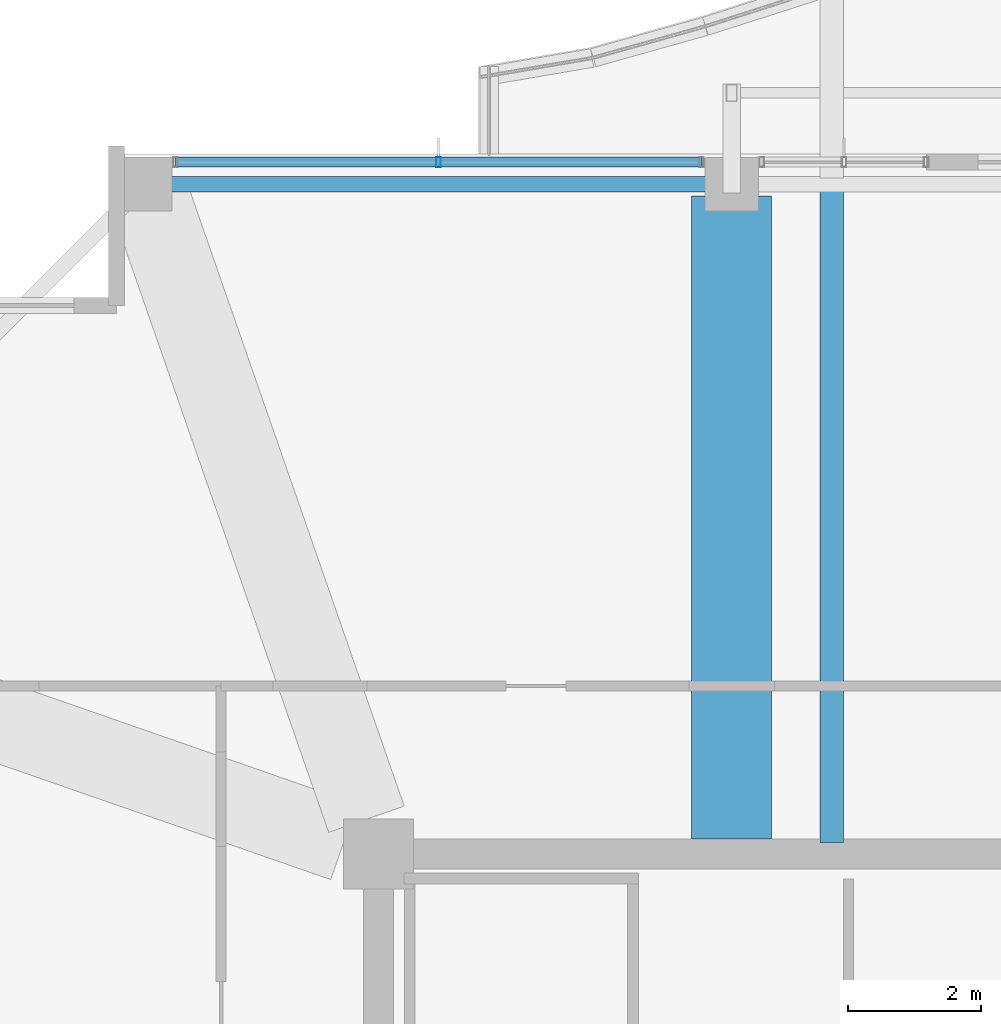
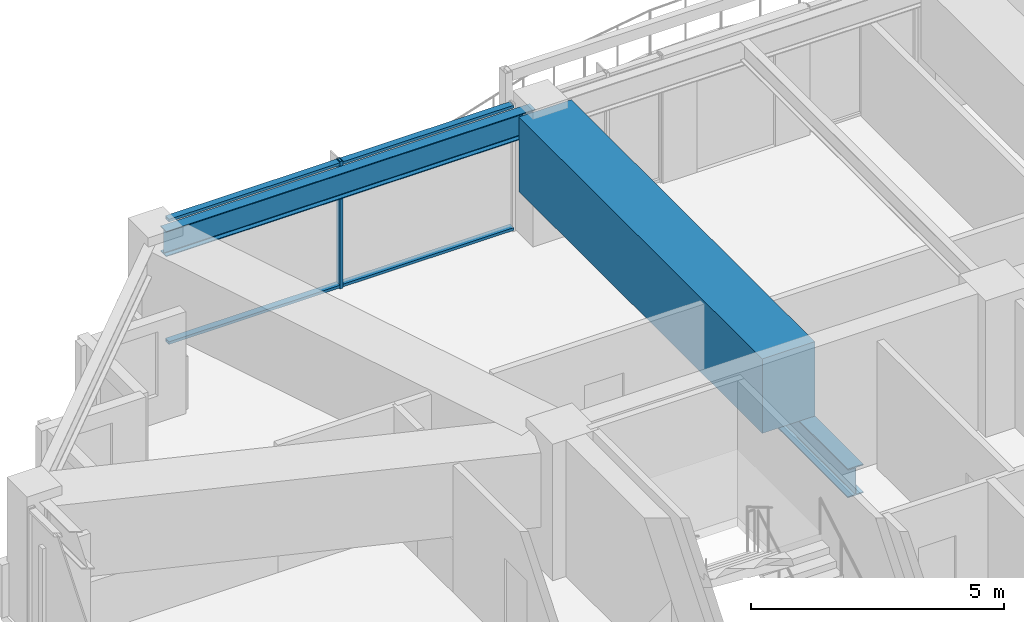
# One storey, part 18 of 37: 3 beams, 3 members, 1 element without a shape of its own.
"""IFC4 building model written with IfcOpenShell, lengths in metres."""

import ifcopenshell
import ifcopenshell.guid

model = None  # the IFC model being written
_history = None  # IfcOwnerHistory: only IFC2X3 demands one
_inside = {}  # id of a spatial element -> (the spatial element, [elements in it])
_under = {}  # id of a project, library or spatial element -> (it, [spatial elements below it])
_declared = {}  # id of a project -> (the project, [libraries it declares])
_typed = {}  # id of a type object -> (the type object, [elements of that type])
_made_of = {}  # id of a material, layer set ... -> (it, [elements and type objects made of it])


def new_model(schema):
    """Start an empty IFC model of exactly this schema.

    Asked for "IFC4X3", IfcOpenShell would pick the latest addendum, in which some entities
    have other attributes; the version numbers below select the first issue.
    IFC2X3 requires an IfcOwnerHistory on every rooted entity: one is made here for all.
    """
    global model, _history
    if schema == "IFC4X3":
        model = ifcopenshell.file(schema_version=(4, 3, 0, 0))
    else:
        model = ifcopenshell.file(schema=schema)
    _inside.clear()
    _under.clear()
    _declared.clear()
    _typed.clear()
    _made_of.clear()
    _history = None
    if model.schema == "IFC2X3":
        org = make("IfcOrganization", Name="unknown")
        user = make(
            "IfcPersonAndOrganization",
            ThePerson=make("IfcPerson", FamilyName="unknown"),
            TheOrganization=org,
        )
        app = make(
            "IfcApplication",
            ApplicationDeveloper=org,
            Version="unknown",
            ApplicationFullName="unknown",
            ApplicationIdentifier="unknown",
        )
        _history = make(
            "IfcOwnerHistory",
            OwningUser=user,
            OwningApplication=app,
            ChangeAction="ADDED",
            CreationDate=0,
        )
    return model


def make(cls, **values):
    """One entity of the class cls with the attributes given. An attribute that is None is left unset."""
    return model.create_entity(
        cls, **{name: value for name, value in values.items() if value is not None}
    )


def rooted(cls, **values):
    """An entity with a GlobalId (a new one), such as an element, a storey or a relation."""
    return make(cls, GlobalId=ifcopenshell.guid.new(), OwnerHistory=_history, **values)


def si_unit(unit_type, name, prefix=None):
    """IfcSIUnit, for example si_unit("LENGTHUNIT", "METRE", prefix="MILLI")."""
    return make("IfcSIUnit", UnitType=unit_type, Prefix=prefix, Name=name)


def assignment(units):
    """IfcUnitAssignment: the units of a project."""
    return None if units is None else make("IfcUnitAssignment", Units=units)


def point(xyz):
    """IfcCartesianPoint."""
    return None if xyz is None else make("IfcCartesianPoint", Coordinates=xyz)


def direction(xyz):
    """IfcDirection."""
    return None if xyz is None else make("IfcDirection", DirectionRatios=xyz)


def frame(location, z_axis=None, x_axis=None):
    """IfcAxis2Placement3D, a coordinate frame: its origin and axes. An axis left out is left unset."""
    return make(
        "IfcAxis2Placement3D",
        Location=point(location),
        Axis=direction(z_axis),
        RefDirection=direction(x_axis),
    )


def frame_2d(location, x_axis=None):
    """IfcAxis2Placement2D, a coordinate frame in the plane: its origin and x axis."""
    return make(
        "IfcAxis2Placement2D", Location=point(location), RefDirection=direction(x_axis)
    )


def origin():
    """The frame at (0, 0, 0) with its axes left unset."""
    return frame((0.0, 0.0, 0.0))


def origin_2d():
    """The frame at (0, 0) in the plane with its x axis left unset."""
    return frame_2d((0.0, 0.0))


def place(relative_to, where):
    """IfcLocalPlacement: puts the frame where relative to a parent placement (None: the world)."""
    return make(
        "IfcLocalPlacement", PlacementRelTo=relative_to, RelativePlacement=where
    )


def context(
    kind, dimensions, precision=None, world=None, true_north=None, identifier=None
):
    """IfcGeometricRepresentationContext, for example the 3D "Model" context."""
    return make(
        "IfcGeometricRepresentationContext",
        ContextIdentifier=identifier,
        ContextType=kind,
        CoordinateSpaceDimension=dimensions,
        Precision=precision,
        WorldCoordinateSystem=world,
        TrueNorth=true_north,
    )


def subcontext(parent, identifier, kind, view, scale=None):
    """IfcGeometricRepresentationSubContext, for example "Body" below "Model"."""
    return make(
        "IfcGeometricRepresentationSubContext",
        ContextIdentifier=identifier,
        ContextType=kind,
        ParentContext=parent,
        TargetScale=scale,
        TargetView=view,
    )


def project(units=None, contexts=None):
    """IfcProject with its units and contexts."""
    return rooted(
        "IfcProject",
        Name="project",
        RepresentationContexts=contexts,
        UnitsInContext=assignment(units),
    )


def spatial(cls, under=None, at=None, **own):
    """A site, building, storey or space (cls), placed at a placement, below another one or the project."""
    s = rooted(cls, ObjectPlacement=at, **own)
    if under is not None:
        _under.setdefault(under.id(), (under, []))[1].append(s)
    return s


def profile(cls, at=None, kind="AREA", **sizes):
    """A parametric profile (cls). Its sizes go by their IFC names, for example OverallWidth=200.0."""
    return make(cls, ProfileType=kind, Position=at, **sizes)


def rectangle(**sizes):
    """IfcRectangleProfileDef."""
    return profile("IfcRectangleProfileDef", **sizes)


def hollow_rectangle(**sizes):
    """IfcRectangleHollowProfileDef."""
    return profile("IfcRectangleHollowProfileDef", **sizes)


def i_section(**sizes):
    """IfcIShapeProfileDef."""
    return profile("IfcIShapeProfileDef", **sizes)


def extrude(swept, where, along, depth):
    """IfcExtrudedAreaSolid: the profile swept, set in the frame where, extruded along a direction by depth."""
    return make(
        "IfcExtrudedAreaSolid",
        SweptArea=swept,
        Position=where,
        ExtrudedDirection=direction(along),
        Depth=depth,
    )


def shape(context_of_items, identifier, shape_type, items):
    """IfcShapeRepresentation: the items that make up one representation, for example the "Body"."""
    return make(
        "IfcShapeRepresentation",
        ContextOfItems=context_of_items,
        RepresentationIdentifier=identifier,
        RepresentationType=shape_type,
        Items=items,
    )


def material(Name=None, Category=None):
    """IfcMaterial."""
    return make("IfcMaterial", Name=Name, Category=Category)


def material_profile(
    of_material, cross_section, Name=None, Category=None, Priority=None
):
    """IfcMaterialProfile: a cross section and its material."""
    return make(
        "IfcMaterialProfile",
        Name=Name,
        Material=of_material,
        Profile=cross_section,
        Priority=Priority,
        Category=Category,
    )


def profile_set(profiles, Name=None, composite=None):
    """IfcMaterialProfileSet."""
    return make(
        "IfcMaterialProfileSet",
        Name=Name,
        MaterialProfiles=profiles,
        CompositeProfile=composite,
    )


def made_of(thing, what):
    """Note that an element or type object is made of a material, layer set ...; save() writes the relation."""
    if what is not None:
        _made_of.setdefault(what.id(), (what, []))[1].append(thing)
    return thing


def type_object(cls, material=None, **own):
    """A type object (cls), such as IfcWallType, which elements share."""
    return made_of(rooted(cls, **own), material)


def element(
    cls,
    number,
    at=None,
    inside=None,
    cuts=None,
    type_object=None,
    material=None,
    context=None,
    identifier="Body",
    shape_type=None,
    held_by="IfcProductDefinitionShape",
    body=None,
    shapes=None,
    **own,
):
    """One element of the class cls, such as IfcWall. Its Tag is "e" and its number.

    at: its placement. inside: the storey or other place that contains it. cuts: it is an
    opening in that element (IfcRelVoidsElement). A single representation is given by context,
    identifier, shape_type and body (its items); several are given by shapes. held_by: the class
    of the entity that holds the representations. save() writes the other relations.
    """
    e = rooted(cls, Tag="e%d" % number, ObjectPlacement=at, **own)
    if body is not None:
        shapes = [shape(context, identifier, shape_type, body)]
    if shapes is not None:
        e.Representation = make(held_by, Representations=shapes)
    if inside is not None:
        _inside.setdefault(inside.id(), (inside, []))[1].append(e)
    if cuts is not None:
        rooted(
            "IfcRelVoidsElement", RelatingBuildingElement=cuts, RelatedOpeningElement=e
        )
    if type_object is not None:
        _typed.setdefault(type_object.id(), (type_object, []))[1].append(e)
    return made_of(e, material)


def aggregate(whole, parts):
    """IfcRelAggregates: a whole, such as a stair, and the parts it consists of."""
    return rooted("IfcRelAggregates", RelatingObject=whole, RelatedObjects=parts)


def save(model, path):
    """Write the relations noted so far, then the file.

    IfcRelAggregates (storeys below a building ...), IfcRelContainedInSpatialStructure (elements
    in a storey), IfcRelDefinesByType, IfcRelAssociatesMaterial and IfcRelDeclares: one each for
    every whole, place, type object, material and project.
    """
    for whole, parts in _under.values():
        aggregate(whole, parts)
    for where, things in _inside.values():
        rooted(
            "IfcRelContainedInSpatialStructure",
            RelatedElements=things,
            RelatingStructure=where,
        )
    for kind, things in _typed.values():
        rooted("IfcRelDefinesByType", RelatedObjects=things, RelatingType=kind)
    for what, things in _made_of.values():
        rooted("IfcRelAssociatesMaterial", RelatedObjects=things, RelatingMaterial=what)
    for by, libraries in _declared.values():
        rooted("IfcRelDeclares", RelatingContext=by, RelatedDefinitions=libraries)
    model.write(path)


model = new_model("IFC4")

# Units and contexts
model_context = context("Model", 3, precision=1e-05, world=origin(), true_north=direction((0.0, 1.0)))
body_context = subcontext(model_context, "Body", "Model", "MODEL_VIEW")
ifc_project = project(units=[si_unit("LENGTHUNIT", "METRE"), si_unit("AREAUNIT", "SQUARE_METRE"), si_unit("VOLUMEUNIT", "CUBIC_METRE"), si_unit("PLANEANGLEUNIT", "RADIAN"), si_unit("MASSUNIT", "GRAM", prefix="KILO")], contexts=[model_context])

# Site, building, storey
site_placement = place(None, origin())
site = spatial("IfcSite", under=ifc_project, at=site_placement, CompositionType="ELEMENT")
building_placement = place(site_placement, origin())
building = spatial("IfcBuilding", under=site, at=building_placement, Name="Kolvaren Belvedere", CompositionType="ELEMENT")
storey_placement = place(building_placement, frame((0.0, 0.0, 219.60009765625)))
storey = spatial("IfcBuildingStorey", under=building, at=storey_placement, Name="L64", CompositionType="ELEMENT", Elevation=219.60009765625)

# Beams
ifc_material_1 = material(Name="Structural steel ASTM A992 Grade 50", Category="steel")
ifc_material_profile_1 = material_profile(ifc_material_1, i_section(OverallWidth=0.35498046875, OverallDepth=0.696044921875, WebThickness=0.015380859375, FlangeThickness=0.02490234375, FilletRadius=0.02197265625, at=origin_2d()), Name="W27X146")
ifc_profile_set_1 = profile_set([ifc_material_profile_1], Name="Structural steel ASTM A992 Grade 50")
beam_type_1 = type_object("IfcBeamType", Name="BM-GIRD-W27X146", PredefinedType="BEAM", material=ifc_profile_set_1)
beam_1_placement = place(storey_placement, frame((-3.10009765625, 10.06494140625, -0.568115234375), z_axis=(0.0, 1.0, 0.0), x_axis=(-1.0, 0.0, 0.0)))
element("IfcBeam", 1, at=beam_1_placement, inside=storey, type_object=beam_type_1, Name="L64 Balcony Interior Back-Span Girder BAL-N-1", PredefinedType="BEAM", context=body_context, shape_type="SweptSolid", body=[
    extrude(i_section(OverallWidth=0.35498046875, OverallDepth=0.696044921875, WebThickness=0.015380859375, FlangeThickness=0.02490234375, FilletRadius=0.02197265625, at=origin_2d()), origin(), (0.0, 0.0, 1.0), 9.7900390625),
])
ifc_material_2 = material(Name="Structural steel ASTM A992 Grade 50", Category="steel")
ifc_material_profile_2 = material_profile(ifc_material_2, i_section(OverallWidth=0.22900390625, OverallDepth=0.612060546875, WebThickness=0.011962890625, FlangeThickness=0.01953125, FilletRadius=0.01806640625, at=origin_2d()), Name="W24X84")
ifc_profile_set_2 = profile_set([ifc_material_profile_2], Name="Structural steel ASTM A992 Grade 50")
beam_type_2 = type_object("IfcBeamType", Name="BM-SPAN-W24X84", PredefinedType="SPANDREL", material=ifc_profile_set_2)
beam_2_placement = place(storey_placement, frame((-4.780029296875, 19.949951171875, 2.77392578125), z_axis=(-1.0, 0.0, 0.0), x_axis=(0.0, -1.0, 0.0)))
element("IfcBeam", 2, at=beam_2_placement, inside=storey, type_object=beam_type_2, Name="L64 Perimeter Spandrel N2-N1", PredefinedType="SPANDREL", context=body_context, shape_type="SweptSolid", body=[
    extrude(i_section(OverallWidth=0.22900390625, OverallDepth=0.612060546875, WebThickness=0.011962890625, FlangeThickness=0.01953125, FilletRadius=0.01806640625, at=origin_2d()), origin(), (0.0, 0.0, 1.0), 8.43994140625),
])
ifc_material_3 = material(Name="Concrete C50/60", Category="concrete")
ifc_material_profile_3 = material_profile(ifc_material_3, rectangle(XDim=1.199951171875, YDim=1.800048828125, at=origin_2d()), Name="RC 1200X1800")
ifc_profile_set_3 = profile_set([ifc_material_profile_3], Name="Concrete C50/60")
beam_type_3 = type_object("IfcBeamType", Name="BM-TG-1800", PredefinedType="BEAM", material=ifc_profile_set_3)
beam_3_placement = place(storey_placement, frame((-4.60009765625, 10.125, 2.179931640625), z_axis=(0.0, 1.0, 0.0), x_axis=(-1.0, 0.0, 0.0)))
element("IfcBeam", 3, at=beam_3_placement, inside=storey, type_object=beam_type_3, Name="L64 North Radial Girder M", PredefinedType="BEAM", context=body_context, shape_type="SweptSolid", body=[
    extrude(rectangle(XDim=1.199951171875, YDim=1.800048828125, at=origin_2d()), origin(), (0.0, 0.0, 1.0), 9.64501953125),
])

# Curtain wall, members
ifc_material_4 = material(Name="Anodised pale-metal aluminium AA 6063-T6", Category="aluminium")
curtain_wall_type = type_object("IfcCurtainWallType", Name="CW-Z5-HIGH", PredefinedType="NOTDEFINED", material=ifc_material_4)
curtain_wall_placement = place(storey_placement, origin())
curtain_wall = element("IfcCurtainWall", 4, at=curtain_wall_placement, inside=storey, type_object=curtain_wall_type, Name="L64 Unitised Curtain Wall FCW-L64-N1-B1", PredefinedType="NOTDEFINED")
ifc_material_5 = material(Name="Anodised pale-metal aluminium AA 6063-T6", Category="aluminium")
ifc_material_profile_4 = material_profile(ifc_material_5, hollow_rectangle(XDim=0.070068359375, YDim=0.14990234375, WallThickness=0.004150390625, at=origin_2d()), Name="ALU-MUL-150X70")
ifc_profile_set_4 = profile_set([ifc_material_profile_4], Name="Anodised pale-metal aluminium AA 6063-T6")
member_type_1 = type_object("IfcMemberType", Name="CW-MUL-150", PredefinedType="MULLION", material=ifc_profile_set_4)
member_1_placement = place(storey_placement, frame((-9.0, 20.280029296875, 0.0), z_axis=(0.0, 0.0, 1.0), x_axis=(1.0, 0.0, 0.0)))
member_1 = element("IfcMember", 5, at=member_1_placement, type_object=member_type_1, Name="FCW-L64-N1-B1 Unitised Mullion 2", PredefinedType="MULLION", context=body_context, shape_type="SweptSolid", body=[
    extrude(hollow_rectangle(XDim=0.070068359375, YDim=0.14990234375, WallThickness=0.004150390625, at=origin_2d()), origin(), (0.0, 0.0, 1.0), 3.079833984375),
])
ifc_material_6 = material(Name="Anodised pale-metal aluminium AA 6063-T6", Category="aluminium")
ifc_material_profile_5 = material_profile(ifc_material_6, hollow_rectangle(XDim=0.06494140625, YDim=0.14990234375, WallThickness=0.00390625, at=origin_2d()), Name="ALU-TRN-150X65")
ifc_profile_set_5 = profile_set([ifc_material_profile_5], Name="Anodised pale-metal aluminium AA 6063-T6")
member_type_2 = type_object("IfcMemberType", Name="CW-TRN-150", PredefinedType="USERDEFINED", material=ifc_profile_set_5)
member_2_placement = place(storey_placement, frame((-12.945068359375, 20.280029296875, 0.059814453125), z_axis=(1.0, 0.0, 0.0), x_axis=(0.0, 0.0, 1.0)))
member_2 = element("IfcMember", 6, at=member_2_placement, type_object=member_type_2, Name="FCW-L64-N1-B1 Sill Transom", ObjectType="TRANSOM", PredefinedType="USERDEFINED", context=body_context, shape_type="SweptSolid", body=[
    extrude(hollow_rectangle(XDim=0.06494140625, YDim=0.14990234375, WallThickness=0.00390625, at=origin_2d()), origin(), (0.0, 0.0, 1.0), 7.89013671875),
])
member_3_placement = place(storey_placement, frame((-12.945068359375, 20.280029296875, 3.02001953125), z_axis=(1.0, 0.0, 0.0), x_axis=(0.0, 0.0, 1.0)))
member_3 = element("IfcMember", 7, at=member_3_placement, type_object=member_type_2, Name="FCW-L64-N1-B1 Head Transom", ObjectType="TRANSOM", PredefinedType="USERDEFINED", context=body_context, shape_type="SweptSolid", body=[
    extrude(hollow_rectangle(XDim=0.06494140625, YDim=0.14990234375, WallThickness=0.00390625, at=origin_2d()), origin(), (0.0, 0.0, 1.0), 7.89013671875),
])
aggregate(curtain_wall, [member_1, member_2, member_3])

save(model, "model.ifc")
